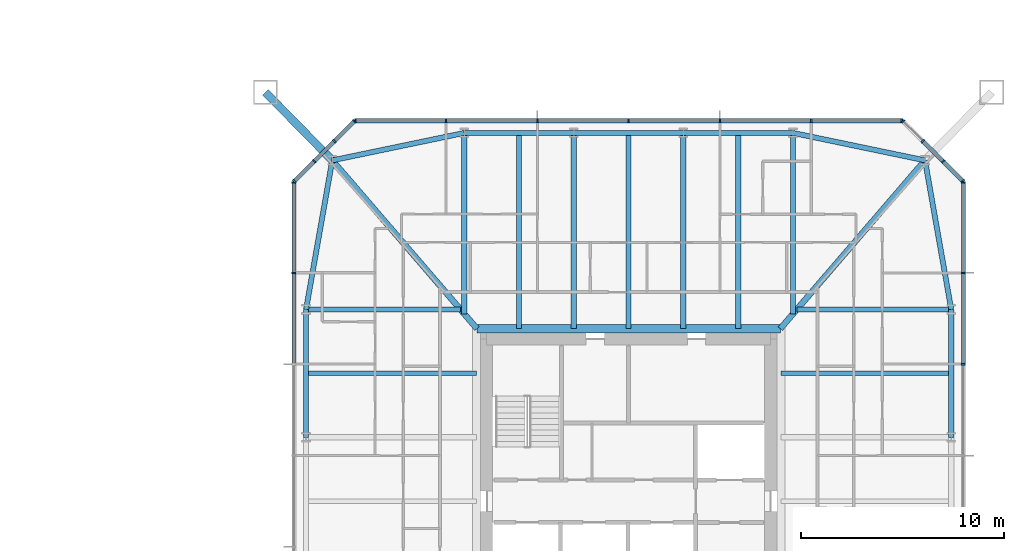
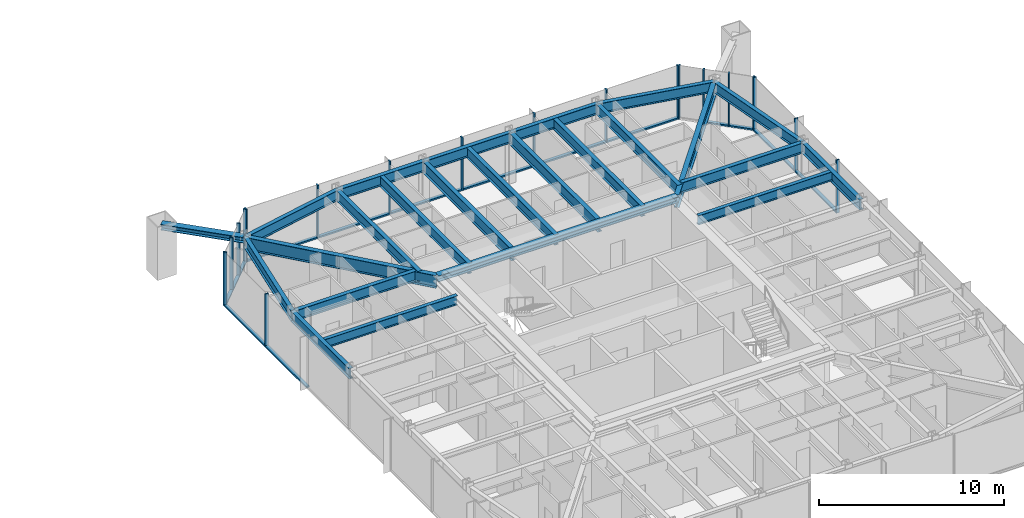
# One storey, part 10 of 26: 36 members, 23 beams, 5 elements without a shape of their own.
"""IFC4 building model written with IfcOpenShell, lengths in metres."""

from ifc_helpers import new_model, si_unit, direction, frame, origin, origin_2d, place, context, subcontext, project, spatial, rectangle, i_section, extrude, material, material_profile, profile_set, type_object, element, aggregate, save


model = new_model("IFC4")

# Units and contexts
model_context = context("Model", 3, precision=1e-05, world=origin(), true_north=direction((0.0, 1.0)))
body_context = subcontext(model_context, "Body", "Model", "MODEL_VIEW")
ifc_project = project(units=[si_unit("LENGTHUNIT", "METRE"), si_unit("AREAUNIT", "SQUARE_METRE"), si_unit("VOLUMEUNIT", "CUBIC_METRE"), si_unit("PLANEANGLEUNIT", "RADIAN"), si_unit("MASSUNIT", "GRAM", prefix="KILO")], contexts=[model_context])

# Site, building, storey
site_placement = place(None, origin())
site = spatial("IfcSite", under=ifc_project, at=site_placement, CompositionType="ELEMENT")
building_placement = place(site_placement, origin())
building = spatial("IfcBuilding", under=site, at=building_placement, Name="Iwan Alto Co-Living Towers", CompositionType="ELEMENT")
storey_placement = place(building_placement, frame((0.0, 0.0, 22.0)))
storey = spatial("IfcBuildingStorey", under=building, at=storey_placement, Name="L05", CompositionType="ELEMENT", Elevation=22.0)

# Curtain wall, members
ifc_material_1 = material(Name="Bronze aluminium unitised frame", Category="aluminium")
curtain_wall_type_1 = type_object("IfcCurtainWallType", Name="CURTAIN WALL CW-C", PredefinedType="NOTDEFINED", material=ifc_material_1)
curtain_wall_1_placement = place(storey_placement, origin())
curtain_wall_1 = element("IfcCurtainWall", 1, at=curtain_wall_1_placement, inside=storey, type_object=curtain_wall_type_1, Name="T2 curtain wall E L05", PredefinedType="NOTDEFINED")
ifc_material_2 = material(Name="Aluminium 6063-T6 bronze anodised", Category="aluminium")
ifc_material_profile_1 = material_profile(ifc_material_2, rectangle(XDim=0.199951171875, YDim=0.080078125, at=origin_2d()), Name="AL 80X200")
ifc_profile_set_1 = profile_set([ifc_material_profile_1], Name="Aluminium 6063-T6 bronze anodised")
member_type_1 = type_object("IfcMemberType", Name="CW-C MULLION 80X200", PredefinedType="MULLION", material=ifc_profile_set_1)
member_1_placement = place(storey_placement, frame((79.5, 6.75, 0.0), z_axis=(0.0, 0.0, 1.0), x_axis=(-1.0, 0.0, 0.0)))
member_1 = element("IfcMember", 2, at=member_1_placement, type_object=member_type_1, Name="CW-C mullion 6", PredefinedType="MULLION", context=body_context, shape_type="SweptSolid", body=[
    extrude(rectangle(XDim=0.199951171875, YDim=0.080078125, at=origin_2d()), origin(), (0.0, 0.0, 1.0), 3.5),
])
member_2_placement = place(storey_placement, frame((79.5, 11.25, 0.0), z_axis=(0.0, 0.0, 1.0), x_axis=(-1.0, 0.0, 0.0)))
member_2 = element("IfcMember", 3, at=member_2_placement, type_object=member_type_1, Name="CW-C mullion 7", PredefinedType="MULLION", context=body_context, shape_type="SweptSolid", body=[
    extrude(rectangle(XDim=0.199951171875, YDim=0.080078125, at=origin_2d()), origin(), (0.0, 0.0, 1.0), 3.5),
])
member_3_placement = place(storey_placement, frame((79.5, 15.7099609375, 0.0), z_axis=(0.0, 0.0, 1.0), x_axis=(-1.0, 0.0, 0.0)))
member_3 = element("IfcMember", 4, at=member_3_placement, type_object=member_type_1, Name="CW-C mullion 8", PredefinedType="MULLION", context=body_context, shape_type="SweptSolid", body=[
    extrude(rectangle(XDim=0.199951171875, YDim=0.080078125, at=origin_2d()), origin(), (0.0, 0.0, 1.0), 3.5),
])

curtain_wall_2_placement = place(storey_placement, origin())
curtain_wall_2 = element("IfcCurtainWall", 5, at=curtain_wall_2_placement, inside=storey, type_object=curtain_wall_type_1, Name="T2 curtain wall N L05", PredefinedType="NOTDEFINED")
member_4_placement = place(storey_placement, frame((76.4599609375, 18.75, 0.0), z_axis=(0.0, 0.0, 1.0), x_axis=(0.0, -1.0, 0.0)))
member_4 = element("IfcMember", 6, at=member_4_placement, type_object=member_type_1, Name="CW-C mullion 1", PredefinedType="MULLION", context=body_context, shape_type="SweptSolid", body=[
    extrude(rectangle(XDim=0.199951171875, YDim=0.080078125, at=origin_2d()), origin(), (0.0, 0.0, 1.0), 3.5),
])
member_5_placement = place(storey_placement, frame((72.0, 18.75, 0.0), z_axis=(0.0, 0.0, 1.0), x_axis=(0.0, -1.0, 0.0)))
member_5 = element("IfcMember", 7, at=member_5_placement, type_object=member_type_1, Name="CW-C mullion 2", PredefinedType="MULLION", context=body_context, shape_type="SweptSolid", body=[
    extrude(rectangle(XDim=0.199951171875, YDim=0.080078125, at=origin_2d()), origin(), (0.0, 0.0, 1.0), 3.5),
])
member_6_placement = place(storey_placement, frame((67.5, 18.75, 0.0), z_axis=(0.0, 0.0, 1.0), x_axis=(0.0, -1.0, 0.0)))
member_6 = element("IfcMember", 8, at=member_6_placement, type_object=member_type_1, Name="CW-C mullion 3", PredefinedType="MULLION", context=body_context, shape_type="SweptSolid", body=[
    extrude(rectangle(XDim=0.199951171875, YDim=0.080078125, at=origin_2d()), origin(), (0.0, 0.0, 1.0), 3.5),
])
member_7_placement = place(storey_placement, frame((63.0, 18.75, 0.0), z_axis=(0.0, 0.0, 1.0), x_axis=(0.0, -1.0, 0.0)))
member_7 = element("IfcMember", 9, at=member_7_placement, type_object=member_type_1, Name="CW-C mullion 4", PredefinedType="MULLION", context=body_context, shape_type="SweptSolid", body=[
    extrude(rectangle(XDim=0.199951171875, YDim=0.080078125, at=origin_2d()), origin(), (0.0, 0.0, 1.0), 3.5),
])
member_8_placement = place(storey_placement, frame((58.5, 18.75, 0.0), z_axis=(0.0, 0.0, 1.0), x_axis=(0.0, -1.0, 0.0)))
member_8 = element("IfcMember", 10, at=member_8_placement, type_object=member_type_1, Name="CW-C mullion 5", PredefinedType="MULLION", context=body_context, shape_type="SweptSolid", body=[
    extrude(rectangle(XDim=0.199951171875, YDim=0.080078125, at=origin_2d()), origin(), (0.0, 0.0, 1.0), 3.5),
])
member_9_placement = place(storey_placement, frame((54.0, 18.75, 0.0), z_axis=(0.0, 0.0, 1.0), x_axis=(0.0, -1.0, 0.0)))
member_9 = element("IfcMember", 11, at=member_9_placement, type_object=member_type_1, Name="CW-C mullion 6", PredefinedType="MULLION", context=body_context, shape_type="SweptSolid", body=[
    extrude(rectangle(XDim=0.199951171875, YDim=0.080078125, at=origin_2d()), origin(), (0.0, 0.0, 1.0), 3.5),
])
member_10_placement = place(storey_placement, frame((49.5400390625, 18.75, 0.0), z_axis=(0.0, 0.0, 1.0), x_axis=(0.0, -1.0, 0.0)))
member_10 = element("IfcMember", 12, at=member_10_placement, type_object=member_type_1, Name="CW-C mullion 7", PredefinedType="MULLION", context=body_context, shape_type="SweptSolid", body=[
    extrude(rectangle(XDim=0.199951171875, YDim=0.080078125, at=origin_2d()), origin(), (0.0, 0.0, 1.0), 3.5),
])

curtain_wall_3_placement = place(storey_placement, origin())
curtain_wall_3 = element("IfcCurtainWall", 13, at=curtain_wall_3_placement, inside=storey, type_object=curtain_wall_type_1, Name="T2 curtain wall W L05", PredefinedType="NOTDEFINED")
member_11_placement = place(storey_placement, frame((46.5, 15.7099609375, 0.0), z_axis=(0.0, 0.0, 1.0), x_axis=(1.0, 0.0, 0.0)))
member_11 = element("IfcMember", 14, at=member_11_placement, type_object=member_type_1, Name="CW-C mullion 1", PredefinedType="MULLION", context=body_context, shape_type="SweptSolid", body=[
    extrude(rectangle(XDim=0.199951171875, YDim=0.080078125, at=origin_2d()), origin(), (0.0, 0.0, 1.0), 3.5),
])
member_12_placement = place(storey_placement, frame((46.5, 11.25, 0.0), z_axis=(0.0, 0.0, 1.0), x_axis=(1.0, 0.0, 0.0)))
member_12 = element("IfcMember", 15, at=member_12_placement, type_object=member_type_1, Name="CW-C mullion 2", PredefinedType="MULLION", context=body_context, shape_type="SweptSolid", body=[
    extrude(rectangle(XDim=0.199951171875, YDim=0.080078125, at=origin_2d()), origin(), (0.0, 0.0, 1.0), 3.5),
])

# Member
ifc_material_3 = material(Name="Aluminium 6063-T6 bronze anodised", Category="aluminium")
ifc_material_profile_2 = material_profile(ifc_material_3, rectangle(XDim=0.199951171875, YDim=0.10009765625, at=origin_2d()), Name="AL 200X100")
ifc_profile_set_2 = profile_set([ifc_material_profile_2], Name="Aluminium 6063-T6 bronze anodised")
member_type_2 = type_object("IfcMemberType", Name="CW-C TRANSOM 200X100", PredefinedType="USERDEFINED", material=ifc_profile_set_2)
member_13_placement = place(storey_placement, frame((79.5, 6.7900390625, 0.050048828125), z_axis=(0.0, 1.0, 0.0), x_axis=(-1.0, 0.0, 0.0)))
member_13 = element("IfcMember", 16, at=member_13_placement, type_object=member_type_2, Name="CW-C transom 6.1", ObjectType="TRANSOM", PredefinedType="USERDEFINED", context=body_context, shape_type="SweptSolid", body=[
    extrude(rectangle(XDim=0.199951171875, YDim=0.10009765625, at=origin_2d()), origin(), (0.0, 0.0, 1.0), 4.419921875),
])

member_14_placement = place(storey_placement, frame((79.5, 11.2900390625, 0.050048828125), z_axis=(0.0, 1.0, 0.0), x_axis=(-1.0, 0.0, 0.0)))
member_14 = element("IfcMember", 17, at=member_14_placement, type_object=member_type_2, Name="CW-C transom 7.1", ObjectType="TRANSOM", PredefinedType="USERDEFINED", context=body_context, shape_type="SweptSolid", body=[
    extrude(rectangle(XDim=0.199951171875, YDim=0.10009765625, at=origin_2d()), origin(), (0.0, 0.0, 1.0), 4.3798828125),
])

aggregate(curtain_wall_1, [member_1, member_2, member_3, member_13, member_14])

member_15_placement = place(storey_placement, frame((76.419921875, 18.75, 0.050048828125), z_axis=(-1.0, 0.0, 0.0), x_axis=(0.0, -1.0, 0.0)))
member_15 = element("IfcMember", 18, at=member_15_placement, type_object=member_type_2, Name="CW-C transom 1.1", ObjectType="TRANSOM", PredefinedType="USERDEFINED", context=body_context, shape_type="SweptSolid", body=[
    extrude(rectangle(XDim=0.199951171875, YDim=0.10009765625, at=origin_2d()), origin(), (0.0, 0.0, 1.0), 4.3798828125),
])

member_16_placement = place(storey_placement, frame((71.9599609375, 18.75, 0.050048828125), z_axis=(-1.0, 0.0, 0.0), x_axis=(0.0, -1.0, 0.0)))
member_16 = element("IfcMember", 19, at=member_16_placement, type_object=member_type_2, Name="CW-C transom 2.1", ObjectType="TRANSOM", PredefinedType="USERDEFINED", context=body_context, shape_type="SweptSolid", body=[
    extrude(rectangle(XDim=0.199951171875, YDim=0.10009765625, at=origin_2d()), origin(), (0.0, 0.0, 1.0), 4.419921875),
])

member_17_placement = place(storey_placement, frame((67.4599609375, 18.75, 0.050048828125), z_axis=(-1.0, 0.0, 0.0), x_axis=(0.0, -1.0, 0.0)))
member_17 = element("IfcMember", 20, at=member_17_placement, type_object=member_type_2, Name="CW-C transom 3.1", ObjectType="TRANSOM", PredefinedType="USERDEFINED", context=body_context, shape_type="SweptSolid", body=[
    extrude(rectangle(XDim=0.199951171875, YDim=0.10009765625, at=origin_2d()), origin(), (0.0, 0.0, 1.0), 4.419921875),
])

member_18_placement = place(storey_placement, frame((62.9599609375, 18.75, 0.050048828125), z_axis=(-1.0, 0.0, 0.0), x_axis=(0.0, -1.0, 0.0)))
member_18 = element("IfcMember", 21, at=member_18_placement, type_object=member_type_2, Name="CW-C transom 4.1", ObjectType="TRANSOM", PredefinedType="USERDEFINED", context=body_context, shape_type="SweptSolid", body=[
    extrude(rectangle(XDim=0.199951171875, YDim=0.10009765625, at=origin_2d()), origin(), (0.0, 0.0, 1.0), 4.419921875),
])

member_19_placement = place(storey_placement, frame((58.4599609375, 18.75, 0.050048828125), z_axis=(-1.0, 0.0, 0.0), x_axis=(0.0, -1.0, 0.0)))
member_19 = element("IfcMember", 22, at=member_19_placement, type_object=member_type_2, Name="CW-C transom 5.1", ObjectType="TRANSOM", PredefinedType="USERDEFINED", context=body_context, shape_type="SweptSolid", body=[
    extrude(rectangle(XDim=0.199951171875, YDim=0.10009765625, at=origin_2d()), origin(), (0.0, 0.0, 1.0), 4.419921875),
])

member_20_placement = place(storey_placement, frame((53.9599609375, 18.75, 0.050048828125), z_axis=(-1.0, 0.0, 0.0), x_axis=(0.0, -1.0, 0.0)))
member_20 = element("IfcMember", 23, at=member_20_placement, type_object=member_type_2, Name="CW-C transom 6.1", ObjectType="TRANSOM", PredefinedType="USERDEFINED", context=body_context, shape_type="SweptSolid", body=[
    extrude(rectangle(XDim=0.199951171875, YDim=0.10009765625, at=origin_2d()), origin(), (0.0, 0.0, 1.0), 4.3798828125),
])

aggregate(curtain_wall_2, [member_4, member_5, member_6, member_7, member_8, member_9, member_10, member_15, member_16, member_17, member_18, member_19, member_20])

member_21_placement = place(storey_placement, frame((46.5, 15.669921875, 0.050048828125), z_axis=(0.0, -1.0, 0.0), x_axis=(1.0, 0.0, 0.0)))
member_21 = element("IfcMember", 24, at=member_21_placement, type_object=member_type_2, Name="CW-C transom 1.1", ObjectType="TRANSOM", PredefinedType="USERDEFINED", context=body_context, shape_type="SweptSolid", body=[
    extrude(rectangle(XDim=0.199951171875, YDim=0.10009765625, at=origin_2d()), origin(), (0.0, 0.0, 1.0), 4.3798828125),
])

member_22_placement = place(storey_placement, frame((46.5, 11.2099609375, 0.050048828125), z_axis=(0.0, -1.0, 0.0), x_axis=(1.0, 0.0, 0.0)))
member_22 = element("IfcMember", 25, at=member_22_placement, type_object=member_type_2, Name="CW-C transom 2.1", ObjectType="TRANSOM", PredefinedType="USERDEFINED", context=body_context, shape_type="SweptSolid", body=[
    extrude(rectangle(XDim=0.199951171875, YDim=0.10009765625, at=origin_2d()), origin(), (0.0, 0.0, 1.0), 4.419921875),
])

aggregate(curtain_wall_3, [member_11, member_12, member_21, member_22])

# Curtain wall, members
ifc_material_4 = material(Name="Bronze aluminium unitised frame", Category="aluminium")
curtain_wall_type_2 = type_object("IfcCurtainWallType", Name="CURTAIN WALL CW-D", PredefinedType="NOTDEFINED", material=ifc_material_4)
curtain_wall_4_placement = place(storey_placement, origin())
curtain_wall_4 = element("IfcCurtainWall", 26, at=curtain_wall_4_placement, inside=storey, type_object=curtain_wall_type_2, Name="T2 chamfer curtain wall NE L05", PredefinedType="NOTDEFINED")
ifc_material_5 = material(Name="Aluminium 6063-T6 bronze anodised", Category="aluminium")
ifc_material_profile_3 = material_profile(ifc_material_5, rectangle(XDim=0.199951171875, YDim=0.080078125, at=origin_2d()), Name="AL 80X200")
ifc_profile_set_3 = profile_set([ifc_material_profile_3], Name="Aluminium 6063-T6 bronze anodised")
member_type_3 = type_object("IfcMemberType", Name="CW-D MULLION 80X200", PredefinedType="MULLION", material=ifc_profile_set_3)
member_23_placement = place(storey_placement, frame((79.4716796875, 15.7783203125, 0.0), z_axis=(0.0, 0.0, 1.0), x_axis=(-0.707106781187, -0.707106781187, 0.0)))
member_23 = element("IfcMember", 27, at=member_23_placement, type_object=member_type_3, Name="CW-D mullion 1", PredefinedType="MULLION", context=body_context, shape_type="SweptSolid", body=[
    extrude(rectangle(XDim=0.199951171875, YDim=0.080078125, at=origin_2d()), origin(), (0.0, 0.0, 1.0), 3.5),
])
member_24_placement = place(storey_placement, frame((78.5, 16.75, 0.0), z_axis=(0.0, 0.0, 1.0), x_axis=(-0.707106781187, -0.707106781187, 0.0)))
member_24 = element("IfcMember", 28, at=member_24_placement, type_object=member_type_3, Name="CW-D mullion 2", PredefinedType="MULLION", context=body_context, shape_type="SweptSolid", body=[
    extrude(rectangle(XDim=0.199951171875, YDim=0.080078125, at=origin_2d()), origin(), (0.0, 0.0, 1.0), 3.5),
])
member_25_placement = place(storey_placement, frame((77.5, 17.75, 0.0), z_axis=(0.0, 0.0, 1.0), x_axis=(-0.707106781187, -0.707106781187, 0.0)))
member_25 = element("IfcMember", 29, at=member_25_placement, type_object=member_type_3, Name="CW-D mullion 3", PredefinedType="MULLION", context=body_context, shape_type="SweptSolid", body=[
    extrude(rectangle(XDim=0.199951171875, YDim=0.080078125, at=origin_2d()), origin(), (0.0, 0.0, 1.0), 3.5),
])
member_26_placement = place(storey_placement, frame((76.5283203125, 18.7216796875, 0.0), z_axis=(0.0, 0.0, 1.0), x_axis=(-0.707106781187, -0.707106781187, 0.0)))
member_26 = element("IfcMember", 30, at=member_26_placement, type_object=member_type_3, Name="CW-D mullion 4", PredefinedType="MULLION", context=body_context, shape_type="SweptSolid", body=[
    extrude(rectangle(XDim=0.199951171875, YDim=0.080078125, at=origin_2d()), origin(), (0.0, 0.0, 1.0), 3.5),
])

curtain_wall_5_placement = place(storey_placement, origin())
curtain_wall_5 = element("IfcCurtainWall", 31, at=curtain_wall_5_placement, inside=storey, type_object=curtain_wall_type_2, Name="T2 chamfer curtain wall NW L05", PredefinedType="NOTDEFINED")
member_27_placement = place(storey_placement, frame((49.4716796875, 18.7216796875, 0.0), z_axis=(0.0, 0.0, 1.0), x_axis=(0.707106781187, -0.707106781187, 0.0)))
member_27 = element("IfcMember", 32, at=member_27_placement, type_object=member_type_3, Name="CW-D mullion 1", PredefinedType="MULLION", context=body_context, shape_type="SweptSolid", body=[
    extrude(rectangle(XDim=0.199951171875, YDim=0.080078125, at=origin_2d()), origin(), (0.0, 0.0, 1.0), 3.5),
])
member_28_placement = place(storey_placement, frame((48.5, 17.75, 0.0), z_axis=(0.0, 0.0, 1.0), x_axis=(0.707106781187, -0.707106781187, 0.0)))
member_28 = element("IfcMember", 33, at=member_28_placement, type_object=member_type_3, Name="CW-D mullion 2", PredefinedType="MULLION", context=body_context, shape_type="SweptSolid", body=[
    extrude(rectangle(XDim=0.199951171875, YDim=0.080078125, at=origin_2d()), origin(), (0.0, 0.0, 1.0), 3.5),
])
member_29_placement = place(storey_placement, frame((47.5, 16.75, 0.0), z_axis=(0.0, 0.0, 1.0), x_axis=(0.707106781187, -0.707106781187, 0.0)))
member_29 = element("IfcMember", 34, at=member_29_placement, type_object=member_type_3, Name="CW-D mullion 3", PredefinedType="MULLION", context=body_context, shape_type="SweptSolid", body=[
    extrude(rectangle(XDim=0.199951171875, YDim=0.080078125, at=origin_2d()), origin(), (0.0, 0.0, 1.0), 3.5),
])
member_30_placement = place(storey_placement, frame((46.5283203125, 15.7783203125, 0.0), z_axis=(0.0, 0.0, 1.0), x_axis=(0.707106781187, -0.707106781187, 0.0)))
member_30 = element("IfcMember", 35, at=member_30_placement, type_object=member_type_3, Name="CW-D mullion 4", PredefinedType="MULLION", context=body_context, shape_type="SweptSolid", body=[
    extrude(rectangle(XDim=0.199951171875, YDim=0.080078125, at=origin_2d()), origin(), (0.0, 0.0, 1.0), 3.5),
])

# Member
ifc_material_6 = material(Name="Aluminium 6063-T6 bronze anodised", Category="aluminium")
ifc_material_profile_4 = material_profile(ifc_material_6, rectangle(XDim=0.199951171875, YDim=0.10009765625, at=origin_2d()), Name="AL 200X100")
ifc_profile_set_4 = profile_set([ifc_material_profile_4], Name="Aluminium 6063-T6 bronze anodised")
member_type_4 = type_object("IfcMemberType", Name="CW-D TRANSOM 200X100", PredefinedType="USERDEFINED", material=ifc_profile_set_4)
member_31_placement = place(storey_placement, frame((79.443359375, 15.806640625, 0.050048828125), z_axis=(-0.707106781187, 0.707106781187, 0.0), x_axis=(-0.707106781187, -0.707106781187, 0.0)))
member_31 = element("IfcMember", 36, at=member_31_placement, type_object=member_type_4, Name="CW-D transom 1.1", ObjectType="TRANSOM", PredefinedType="USERDEFINED", context=body_context, shape_type="SweptSolid", body=[
    extrude(rectangle(XDim=0.199951171875, YDim=0.10009765625, at=origin_2d()), origin(), (0.0, 0.0, 1.0), 1.2939453125),
])

member_32_placement = place(storey_placement, frame((78.4716796875, 16.7783203125, 0.050048828125), z_axis=(-0.707106781187, 0.707106781187, 0.0), x_axis=(-0.707106781187, -0.707106781187, 0.0)))
member_32 = element("IfcMember", 37, at=member_32_placement, type_object=member_type_4, Name="CW-D transom 2.1", ObjectType="TRANSOM", PredefinedType="USERDEFINED", context=body_context, shape_type="SweptSolid", body=[
    extrude(rectangle(XDim=0.199951171875, YDim=0.10009765625, at=origin_2d()), origin(), (0.0, 0.0, 1.0), 1.334228515625),
])

aggregate(curtain_wall_4, [member_23, member_24, member_25, member_26, member_31, member_32])

member_33_placement = place(storey_placement, frame((49.443359375, 18.693359375, 0.050048828125), z_axis=(-0.707106781187, -0.707106781187, 0.0), x_axis=(0.707106781187, -0.707106781187, 0.0)))
member_33 = element("IfcMember", 38, at=member_33_placement, type_object=member_type_4, Name="CW-D transom 1.1", ObjectType="TRANSOM", PredefinedType="USERDEFINED", context=body_context, shape_type="SweptSolid", body=[
    extrude(rectangle(XDim=0.199951171875, YDim=0.10009765625, at=origin_2d()), origin(), (0.0, 0.0, 1.0), 1.2939453125),
])

member_34_placement = place(storey_placement, frame((48.4716796875, 17.7216796875, 0.050048828125), z_axis=(-0.707106781187, -0.707106781187, 0.0), x_axis=(0.707106781187, -0.707106781187, 0.0)))
member_34 = element("IfcMember", 39, at=member_34_placement, type_object=member_type_4, Name="CW-D transom 2.1", ObjectType="TRANSOM", PredefinedType="USERDEFINED", context=body_context, shape_type="SweptSolid", body=[
    extrude(rectangle(XDim=0.199951171875, YDim=0.10009765625, at=origin_2d()), origin(), (0.0, 0.0, 1.0), 1.334228515625),
])

member_35_placement = place(storey_placement, frame((47.4716796875, 16.7216796875, 0.050048828125), z_axis=(-0.707106781187, -0.707106781187, 0.0), x_axis=(0.707106781187, -0.707106781187, 0.0)))
member_35 = element("IfcMember", 40, at=member_35_placement, type_object=member_type_4, Name="CW-D transom 3.1", ObjectType="TRANSOM", PredefinedType="USERDEFINED", context=body_context, shape_type="SweptSolid", body=[
    extrude(rectangle(XDim=0.199951171875, YDim=0.10009765625, at=origin_2d()), origin(), (0.0, 0.0, 1.0), 1.2939453125),
])

aggregate(curtain_wall_5, [member_27, member_28, member_29, member_30, member_33, member_34, member_35])

# Beams
ifc_material_7 = material(Name="Steel ASTM A992 Gr 50", Category="steel")
ifc_material_profile_5 = material_profile(ifc_material_7, i_section(OverallWidth=0.40380859375, OverallDepth=0.406494140625, WebThickness=0.027099609375, FlangeThickness=0.043701171875, at=origin_2d()), Name="W14X233")
ifc_profile_set_5 = profile_set([ifc_material_profile_5], Name="Steel ASTM A992 Gr 50")
beam_type_1 = type_object("IfcBeamType", Name="T2 CORE LEDGER BEAM W14X233", PredefinedType="BEAM", material=ifc_profile_set_5)
beam_1_placement = place(storey_placement, frame((70.4736328125, 8.501953125, 3.06689453125), z_axis=(-1.0, 0.0, 0.0), x_axis=(0.0, -1.0, 0.0)))
element("IfcBeam", 41, at=beam_1_placement, inside=storey, type_object=beam_type_1, Name="T2 core ledger beam N L06", PredefinedType="BEAM", context=body_context, shape_type="SweptSolid", body=[
    extrude(i_section(OverallWidth=0.40380859375, OverallDepth=0.406494140625, WebThickness=0.027099609375, FlangeThickness=0.043701171875, at=origin_2d()), origin(), (0.0, 0.0, 1.0), 14.947265625),
])
ifc_material_8 = material(Name="Steel ASTM A992 Gr 50", Category="steel")
ifc_material_profile_6 = material_profile(ifc_material_8, i_section(OverallWidth=0.2919921875, OverallDepth=0.8408203125, WebThickness=0.0146484375, FlangeThickness=0.021728515625, at=origin_2d()), Name="W33X130")
ifc_profile_set_6 = profile_set([ifc_material_profile_6], Name="Steel ASTM A992 Gr 50")
beam_type_2 = type_object("IfcBeamType", Name="T2 CORNER GIRDER W33X130", PredefinedType="BEAM", material=ifc_profile_set_6)
for number, where, z_axis, x_axis, name in (
    (42, (77.606201171875, 16.797119140625, 2.849609375), (-0.651972301827, -0.758242782788, 0.0), (0.758242782788, -0.651972301827, 0.0), "T2 corner girder CNE L06"),
    (43, (48.393798828125, 16.797119140625, 2.849609375), (0.651972301827, -0.758242782788, 0.0), (0.758242782788, 0.651972301827, 0.0), "T2 corner girder CNW L06"),
):
    element("IfcBeam", number, at=place(storey_placement, frame(where, z_axis=z_axis, x_axis=x_axis)), inside=storey, type_object=beam_type_2, Name=name, PredefinedType="BEAM", context=body_context, shape_type="SweptSolid", body=[
        extrude(i_section(OverallWidth=0.2919921875, OverallDepth=0.8408203125, WebThickness=0.0146484375, FlangeThickness=0.021728515625, at=origin_2d()), origin(), (0.0, 0.0, 1.0), 10.93994140625),
    ])
ifc_material_9 = material(Name="Steel ASTM A992 Gr 50", Category="steel")
ifc_material_profile_7 = material_profile(ifc_material_9, i_section(OverallWidth=0.25390625, OverallDepth=0.683349609375, WebThickness=0.012451171875, FlangeThickness=0.018798828125, at=origin_2d()), Name="W27X94")
ifc_profile_set_7 = profile_set([ifc_material_profile_7], Name="Steel ASTM A992 Gr 50")
beam_type_3 = type_object("IfcBeamType", Name="T2 EDGE BEAM W27X94", PredefinedType="BEAM", material=ifc_profile_set_7)
beam_2_placement = place(storey_placement, frame((78.89990234375, 3.14990234375, 2.928466796875), z_axis=(0.0, 1.0, 0.0), x_axis=(-1.0, 0.0, 0.0)))
element("IfcBeam", 44, at=beam_2_placement, inside=storey, type_object=beam_type_3, Name="T2 edge beam E3 L06", PredefinedType="BEAM", context=body_context, shape_type="SweptSolid", body=[
    extrude(i_section(OverallWidth=0.25390625, OverallDepth=0.683349609375, WebThickness=0.012451171875, FlangeThickness=0.018798828125, at=origin_2d()), origin(), (0.0, 0.0, 1.0), 6.300048828125),
])
beam_3_placement = place(storey_placement, frame((78.89990234375, 9.449951171875, 2.928466796875), z_axis=(-0.173413807283, 0.98484905008, 0.0), x_axis=(-0.98484905008, -0.173413807283, 0.0)))
element("IfcBeam", 45, at=beam_3_placement, inside=storey, type_object=beam_type_3, Name="T2 edge beam E4 L06", PredefinedType="BEAM", context=body_context, shape_type="SweptSolid", body=[
    extrude(i_section(OverallWidth=0.25390625, OverallDepth=0.683349609375, WebThickness=0.012451171875, FlangeThickness=0.018798828125, at=origin_2d()), origin(), (0.0, 0.0, 1.0), 7.460205078125),
])
beam_4_placement = place(storey_placement, frame((77.606201171875, 16.797119140625, 2.928466796875), z_axis=(-0.979060119423, 0.203571320564, 0.0), x_axis=(-0.203571320564, -0.979060119423, 0.0)))
element("IfcBeam", 46, at=beam_4_placement, inside=storey, type_object=beam_type_3, Name="T2 edge beam CNE L06", PredefinedType="BEAM", context=body_context, shape_type="SweptSolid", body=[
    extrude(i_section(OverallWidth=0.25390625, OverallDepth=0.683349609375, WebThickness=0.012451171875, FlangeThickness=0.018798828125, at=origin_2d()), origin(), (0.0, 0.0, 1.0), 6.645263671875),
])
beam_5_placement = place(storey_placement, frame((71.10009765625, 18.14990234375, 2.928466796875), z_axis=(-1.0, 0.0, 0.0), x_axis=(0.0, -1.0, 0.0)))
element("IfcBeam", 47, at=beam_5_placement, inside=storey, type_object=beam_type_3, Name="T2 edge beam N1 L06", PredefinedType="BEAM", context=body_context, shape_type="SweptSolid", body=[
    extrude(i_section(OverallWidth=0.25390625, OverallDepth=0.683349609375, WebThickness=0.012451171875, FlangeThickness=0.018798828125, at=origin_2d()), origin(), (0.0, 0.0, 1.0), 5.400146484375),
])
beam_6_placement = place(storey_placement, frame((65.699951171875, 18.14990234375, 2.928466796875), z_axis=(-1.0, 0.0, 0.0), x_axis=(0.0, -1.0, 0.0)))
element("IfcBeam", 48, at=beam_6_placement, inside=storey, type_object=beam_type_3, Name="T2 edge beam N2 L06", PredefinedType="BEAM", context=body_context, shape_type="SweptSolid", body=[
    extrude(i_section(OverallWidth=0.25390625, OverallDepth=0.683349609375, WebThickness=0.012451171875, FlangeThickness=0.018798828125, at=origin_2d()), origin(), (0.0, 0.0, 1.0), 5.39990234375),
])
beam_7_placement = place(storey_placement, frame((60.300048828125, 18.14990234375, 2.928466796875), z_axis=(-1.0, 0.0, 0.0), x_axis=(0.0, -1.0, 0.0)))
element("IfcBeam", 49, at=beam_7_placement, inside=storey, type_object=beam_type_3, Name="T2 edge beam N3 L06", PredefinedType="BEAM", context=body_context, shape_type="SweptSolid", body=[
    extrude(i_section(OverallWidth=0.25390625, OverallDepth=0.683349609375, WebThickness=0.012451171875, FlangeThickness=0.018798828125, at=origin_2d()), origin(), (0.0, 0.0, 1.0), 5.400146484375),
])
beam_8_placement = place(storey_placement, frame((54.89990234375, 18.14990234375, 2.928466796875), z_axis=(-0.979060119423, -0.203571320564, 0.0), x_axis=(0.203571320564, -0.979060119423, 0.0)))
element("IfcBeam", 50, at=beam_8_placement, inside=storey, type_object=beam_type_3, Name="T2 edge beam N4 L06", PredefinedType="BEAM", context=body_context, shape_type="SweptSolid", body=[
    extrude(i_section(OverallWidth=0.25390625, OverallDepth=0.683349609375, WebThickness=0.012451171875, FlangeThickness=0.018798828125, at=origin_2d()), origin(), (0.0, 0.0, 1.0), 6.645263671875),
])
beam_9_placement = place(storey_placement, frame((48.393798828125, 16.797119140625, 2.928466796875), z_axis=(-0.173413807283, -0.98484905008, 0.0), x_axis=(0.98484905008, -0.173413807283, 0.0)))
element("IfcBeam", 51, at=beam_9_placement, inside=storey, type_object=beam_type_3, Name="T2 edge beam CNW L06", PredefinedType="BEAM", context=body_context, shape_type="SweptSolid", body=[
    extrude(i_section(OverallWidth=0.25390625, OverallDepth=0.683349609375, WebThickness=0.012451171875, FlangeThickness=0.018798828125, at=origin_2d()), origin(), (0.0, 0.0, 1.0), 7.460205078125),
])
beam_10_placement = place(storey_placement, frame((47.10009765625, 9.449951171875, 2.928466796875), z_axis=(0.0, -1.0, 0.0), x_axis=(1.0, 0.0, 0.0)))
element("IfcBeam", 52, at=beam_10_placement, inside=storey, type_object=beam_type_3, Name="T2 edge beam W1 L06", PredefinedType="BEAM", context=body_context, shape_type="SweptSolid", body=[
    extrude(i_section(OverallWidth=0.25390625, OverallDepth=0.683349609375, WebThickness=0.012451171875, FlangeThickness=0.018798828125, at=origin_2d()), origin(), (0.0, 0.0, 1.0), 6.300048828125),
])

# Member
ifc_material_10 = material(Name="Steel ASTM A992 Gr 50", Category="steel")
ifc_material_profile_8 = material_profile(ifc_material_10, i_section(OverallWidth=0.393798828125, OverallDepth=0.3759765625, WebThickness=0.017333984375, FlangeThickness=0.027587890625, at=origin_2d()), Name="W14X145")
ifc_profile_set_8 = profile_set([ifc_material_profile_8], Name="Steel ASTM A992 Gr 50")
member_type_5 = type_object("IfcMemberType", Name="T2 MEGA COLUMN FLOOR TIE W14X145", PredefinedType="STRUT", material=ifc_profile_set_8)
member_36_placement = place(storey_placement, frame((45.10009765625, 20.14990234375, 3.08203125), z_axis=(0.700793469544, -0.71336422187, 0.0), x_axis=(0.71336422187, 0.700793469544, 0.0)))
element("IfcMember", 53, at=member_36_placement, inside=storey, type_object=member_type_5, Name="T2 mega column floor tie NW L06", PredefinedType="STRUT", context=body_context, shape_type="SweptSolid", body=[
    extrude(i_section(OverallWidth=0.393798828125, OverallDepth=0.3759765625, WebThickness=0.017333984375, FlangeThickness=0.027587890625, at=origin_2d()), origin(), (0.0, 0.0, 1.0), 4.699951171875),
])

# Beams
ifc_material_11 = material(Name="Steel ASTM A992 Gr 50", Category="steel")
ifc_material_profile_9 = material_profile(ifc_material_11, i_section(OverallWidth=0.25390625, OverallDepth=0.683349609375, WebThickness=0.012451171875, FlangeThickness=0.018798828125, at=origin_2d()), Name="W27X94")
ifc_profile_set_9 = profile_set([ifc_material_profile_9], Name="Steel ASTM A992 Gr 50")
beam_type_4 = type_object("IfcBeamType", Name="T2 RADIAL BEAM W27X94", PredefinedType="BEAM", material=ifc_profile_set_9)
beam_11_placement = place(storey_placement, frame((78.89990234375, 9.449951171875, 2.928466796875), z_axis=(-1.0, 0.0, 0.0), x_axis=(0.0, -1.0, 0.0)))
element("IfcBeam", 54, at=beam_11_placement, inside=storey, type_object=beam_type_4, Name="T2 radial beam E4 L06", PredefinedType="BEAM", context=body_context, shape_type="SweptSolid", body=[
    extrude(i_section(OverallWidth=0.25390625, OverallDepth=0.683349609375, WebThickness=0.012451171875, FlangeThickness=0.018798828125, at=origin_2d()), origin(), (0.0, 0.0, 1.0), 7.611083984375),
])
for number, where, z_axis, x_axis, name in (
    (55, (71.10009765625, 18.14990234375, 2.928466796875), (0.0, -1.0, 0.0), (1.0, 0.0, 0.0), "T2 radial beam N1 L06"),
    (56, (54.89990234375, 18.14990234375, 2.928466796875), (0.0, -1.0, 0.0), (1.0, 0.0, 0.0), "T2 radial beam N4 L06"),
):
    element("IfcBeam", number, at=place(storey_placement, frame(where, z_axis=z_axis, x_axis=x_axis)), inside=storey, type_object=beam_type_4, Name=name, PredefinedType="BEAM", context=body_context, shape_type="SweptSolid", body=[
        extrude(i_section(OverallWidth=0.25390625, OverallDepth=0.683349609375, WebThickness=0.012451171875, FlangeThickness=0.018798828125, at=origin_2d()), origin(), (0.0, 0.0, 1.0), 8.91943359375),
    ])
beam_12_placement = place(storey_placement, frame((47.10009765625, 9.449951171875, 2.928466796875), z_axis=(1.0, 0.0, 0.0), x_axis=(0.0, 1.0, 0.0)))
element("IfcBeam", 57, at=beam_12_placement, inside=storey, type_object=beam_type_4, Name="T2 radial beam W1 L06", PredefinedType="BEAM", context=body_context, shape_type="SweptSolid", body=[
    extrude(i_section(OverallWidth=0.25390625, OverallDepth=0.683349609375, WebThickness=0.012451171875, FlangeThickness=0.018798828125, at=origin_2d()), origin(), (0.0, 0.0, 1.0), 7.611083984375),
])
ifc_material_12 = material(Name="Steel ASTM A992 Gr 50", Category="steel")
ifc_material_profile_10 = material_profile(ifc_material_12, i_section(OverallWidth=0.2666015625, OverallDepth=0.761962890625, WebThickness=0.014404296875, FlangeThickness=0.021484375, at=origin_2d()), Name="W30X116")
ifc_profile_set_10 = profile_set([ifc_material_profile_10], Name="Steel ASTM A992 Gr 50")
beam_type_5 = type_object("IfcBeamType", Name="T2 RADIAL BEAM W30X116", PredefinedType="BEAM", material=ifc_profile_set_10)
for number, where, z_axis, x_axis, name in (
    (58, (65.699951171875, 18.14990234375, 2.888916015625), (0.0, -1.0, 0.0), (1.0, 0.0, 0.0), "T2 radial beam N2 L06"),
    (59, (60.300048828125, 18.14990234375, 2.888916015625), (0.0, -1.0, 0.0), (1.0, 0.0, 0.0), "T2 radial beam N3 L06"),
):
    element("IfcBeam", number, at=place(storey_placement, frame(where, z_axis=z_axis, x_axis=x_axis)), inside=storey, type_object=beam_type_5, Name=name, PredefinedType="BEAM", context=body_context, shape_type="SweptSolid", body=[
        extrude(i_section(OverallWidth=0.2666015625, OverallDepth=0.761962890625, WebThickness=0.014404296875, FlangeThickness=0.021484375, at=origin_2d()), origin(), (0.0, 0.0, 1.0), 9.64794921875),
    ])
ifc_material_13 = material(Name="Steel ASTM A992 Gr 50", Category="steel")
ifc_material_profile_11 = material_profile(ifc_material_13, i_section(OverallWidth=0.228271484375, OverallDepth=0.607177734375, WebThickness=0.01123046875, FlangeThickness=0.017333984375, at=origin_2d()), Name="W24X76")
ifc_profile_set_11 = profile_set([ifc_material_profile_11], Name="Steel ASTM A992 Gr 50")
beam_type_6 = type_object("IfcBeamType", Name="T2 SECONDARY BEAM W24X76", PredefinedType="JOIST", material=ifc_profile_set_11)
for number, where, z_axis, x_axis, name in (
    (60, (78.89990234375, 6.300048828125, 2.966552734375), (-1.0, 0.0, 0.0), (0.0, -1.0, 0.0), "T2 secondary beam E3 L06"),
    (61, (47.10009765625, 6.300048828125, 2.966552734375), (1.0, 0.0, 0.0), (0.0, 1.0, 0.0), "T2 secondary beam W1 L06"),
):
    element("IfcBeam", number, at=place(storey_placement, frame(where, z_axis=z_axis, x_axis=x_axis)), inside=storey, type_object=beam_type_6, Name=name, PredefinedType="JOIST", context=body_context, shape_type="SweptSolid", body=[
        extrude(i_section(OverallWidth=0.228271484375, OverallDepth=0.607177734375, WebThickness=0.01123046875, FlangeThickness=0.017333984375, at=origin_2d()), origin(), (0.0, 0.0, 1.0), 8.39794921875),
    ])
ifc_material_14 = material(Name="Steel ASTM A992 Gr 50", Category="steel")
ifc_material_profile_12 = material_profile(ifc_material_14, i_section(OverallWidth=0.25390625, OverallDepth=0.683349609375, WebThickness=0.012451171875, FlangeThickness=0.018798828125, at=origin_2d()), Name="W27X94")
ifc_profile_set_12 = profile_set([ifc_material_profile_12], Name="Steel ASTM A992 Gr 50")
beam_type_7 = type_object("IfcBeamType", Name="T2 SECONDARY BEAM W27X94", PredefinedType="JOIST", material=ifc_profile_set_12)
for number, where, z_axis, x_axis, name in (
    (62, (68.39990234375, 18.14990234375, 2.928466796875), (0.0, -1.0, 0.0), (1.0, 0.0, 0.0), "T2 secondary beam N1 L06"),
    (63, (63.0, 18.14990234375, 2.928466796875), (0.0, -1.0, 0.0), (1.0, 0.0, 0.0), "T2 secondary beam N2 L06"),
    (64, (57.60009765625, 18.14990234375, 2.928466796875), (0.0, -1.0, 0.0), (1.0, 0.0, 0.0), "T2 secondary beam N3 L06"),
):
    element("IfcBeam", number, at=place(storey_placement, frame(where, z_axis=z_axis, x_axis=x_axis)), inside=storey, type_object=beam_type_7, Name=name, PredefinedType="JOIST", context=body_context, shape_type="SweptSolid", body=[
        extrude(i_section(OverallWidth=0.25390625, OverallDepth=0.683349609375, WebThickness=0.012451171875, FlangeThickness=0.018798828125, at=origin_2d()), origin(), (0.0, 0.0, 1.0), 9.64794921875),
    ])

save(model, "model.ifc")
